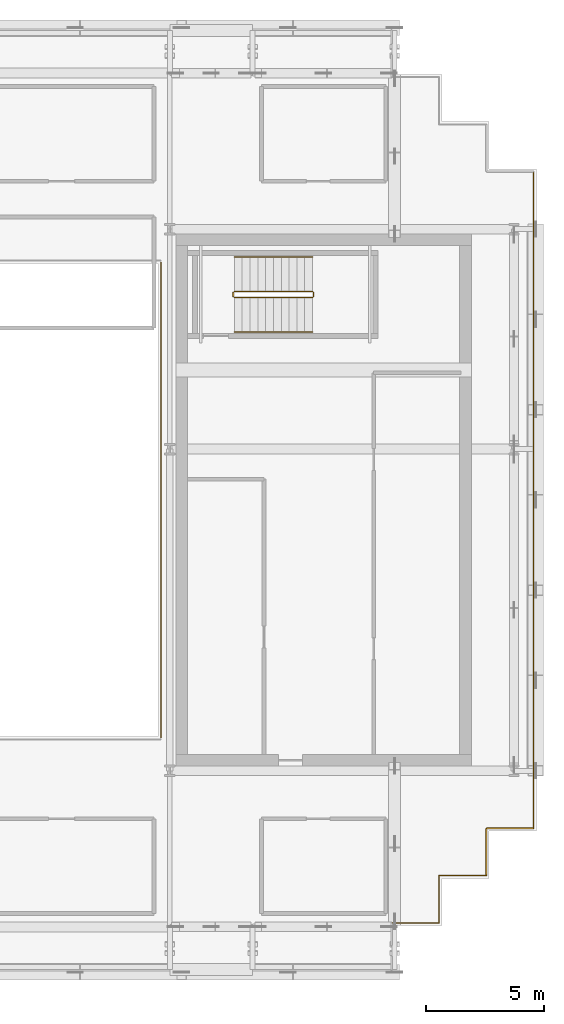
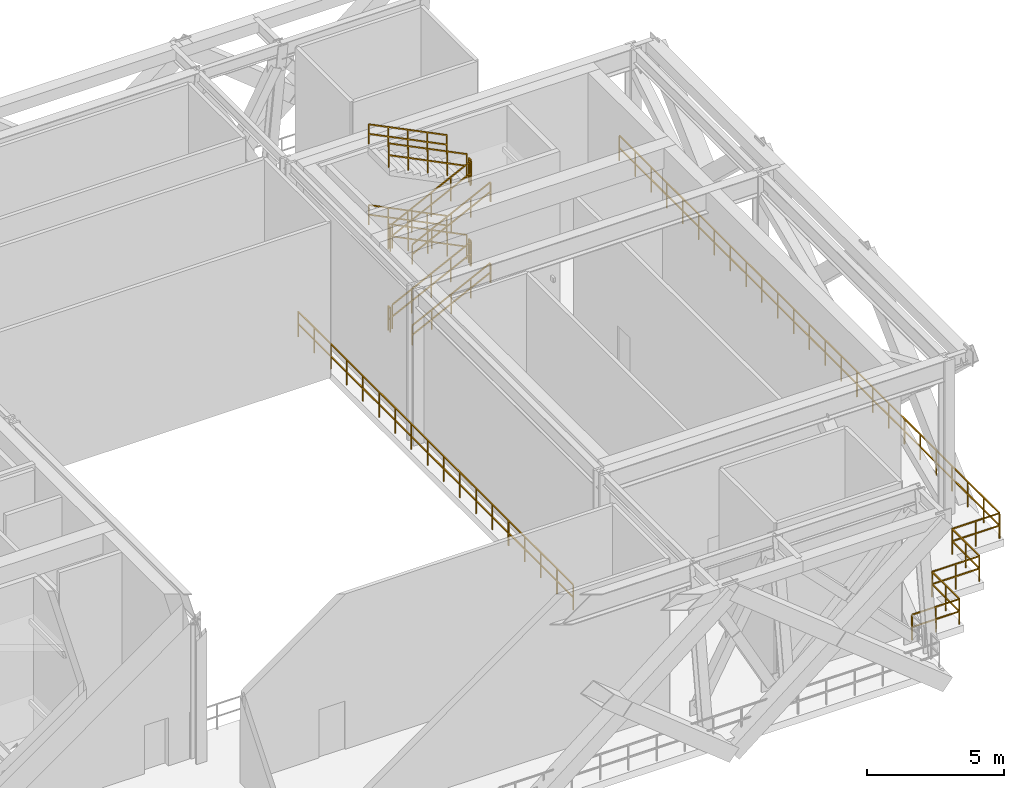
# One storey, part 12 of 13: 19 railings.
"""IFC4 building model written with IfcOpenShell, lengths in metres."""

from ifc_helpers import new_model, si_unit, direction, frame, origin, origin_2d, place, context, subcontext, project, spatial, rectangle, extrude, material, type_object, element, save


model = new_model("IFC4")

# Units and contexts
model_context = context("Model", 3, precision=1e-05, world=origin(), true_north=direction((0.0, 1.0)))
body_context = subcontext(model_context, "Body", "Model", "MODEL_VIEW")
ifc_project = project(units=[si_unit("LENGTHUNIT", "METRE"), si_unit("AREAUNIT", "SQUARE_METRE"), si_unit("VOLUMEUNIT", "CUBIC_METRE"), si_unit("PLANEANGLEUNIT", "RADIAN"), si_unit("MASSUNIT", "GRAM", prefix="KILO")], contexts=[model_context])

# Site, building, storey
site_placement = place(None, origin())
site = spatial("IfcSite", under=ifc_project, at=site_placement, CompositionType="ELEMENT")
building_placement = place(site_placement, origin())
building = spatial("IfcBuilding", under=site, at=building_placement, Name="Ocotamira Hotel", CompositionType="ELEMENT")
storey_placement = place(building_placement, frame((0.0, 0.0, 220.800048828125)))
storey = spatial("IfcBuildingStorey", under=building, at=storey_placement, Name="L56", CompositionType="ELEMENT", Elevation=220.800048828125)

# Railings
ifc_material_1 = material(Name="Painted steel stair guardrail", Category="steel")
railing_type_1 = type_object("IfcRailingType", Name="RL-EDGE-1150", PredefinedType="GUARDRAIL", material=ifc_material_1)
railing_1_placement = place(storey_placement, frame((40.1201171875, 15.9599609375, 0.0)))
element("IfcRailing", 1, at=railing_1_placement, inside=storey, type_object=railing_type_1, Name="L56 Central Atrium Edge Guardrail E", PredefinedType="GUARDRAIL", context=body_context, shape_type="SweptSolid", body=[
    extrude(rectangle(XDim=0.048095703125, YDim=0.048095703125, at=origin_2d()), frame((0.0, 0.0, 1.1259765625), z_axis=(0.0, 1.0, 0.0), x_axis=(-1.0, 0.0, 0.0)), (0.0, 0.0, 1.0), 20.080078125),
    extrude(rectangle(XDim=0.048095703125, YDim=0.048095703125, at=origin_2d()), frame((0.0, 0.0, 0.574951171875), z_axis=(0.0, 1.0, 0.0), x_axis=(-1.0, 0.0, 0.0)), (0.0, 0.0, 1.0), 20.080078125),
    extrude(rectangle(XDim=0.0419921875, YDim=0.0419921875, at=origin_2d()), origin(), (0.0, 0.0, 1.0), 1.101806640625),
    extrude(rectangle(XDim=0.0419921875, YDim=0.0419921875, at=origin_2d()), frame((0.0, 1.18115234375, 0.0)), (0.0, 0.0, 1.0), 1.101806640625),
    extrude(rectangle(XDim=0.0419921875, YDim=0.0419921875, at=origin_2d()), frame((0.0, 2.3623046875, 0.0)), (0.0, 0.0, 1.0), 1.101806640625),
    extrude(rectangle(XDim=0.0419921875, YDim=0.0419921875, at=origin_2d()), frame((0.0, 3.54345703125, 0.0)), (0.0, 0.0, 1.0), 1.101806640625),
    extrude(rectangle(XDim=0.0419921875, YDim=0.0419921875, at=origin_2d()), frame((0.0, 4.724609375, 0.0)), (0.0, 0.0, 1.0), 1.101806640625),
    extrude(rectangle(XDim=0.0419921875, YDim=0.0419921875, at=origin_2d()), frame((0.0, 5.906005859375, 0.0)), (0.0, 0.0, 1.0), 1.101806640625),
    extrude(rectangle(XDim=0.0419921875, YDim=0.0419921875, at=origin_2d()), frame((0.0, 7.087158203125, 0.0)), (0.0, 0.0, 1.0), 1.101806640625),
    extrude(rectangle(XDim=0.0419921875, YDim=0.0419921875, at=origin_2d()), frame((0.0, 8.268310546875, 0.0)), (0.0, 0.0, 1.0), 1.101806640625),
    extrude(rectangle(XDim=0.0419921875, YDim=0.0419921875, at=origin_2d()), frame((0.0, 9.449462890625, 0.0)), (0.0, 0.0, 1.0), 1.101806640625),
    extrude(rectangle(XDim=0.0419921875, YDim=0.0419921875, at=origin_2d()), frame((0.0, 10.630615234375, 0.0)), (0.0, 0.0, 1.0), 1.101806640625),
    extrude(rectangle(XDim=0.0419921875, YDim=0.0419921875, at=origin_2d()), frame((0.0, 11.811767578125, 0.0)), (0.0, 0.0, 1.0), 1.101806640625),
    extrude(rectangle(XDim=0.0419921875, YDim=0.0419921875, at=origin_2d()), frame((0.0, 12.992919921875, 0.0)), (0.0, 0.0, 1.0), 1.101806640625),
    extrude(rectangle(XDim=0.0419921875, YDim=0.0419921875, at=origin_2d()), frame((0.0, 14.174072265625, 0.0)), (0.0, 0.0, 1.0), 1.101806640625),
    extrude(rectangle(XDim=0.0419921875, YDim=0.0419921875, at=origin_2d()), frame((0.0, 15.35546875, 0.0)), (0.0, 0.0, 1.0), 1.101806640625),
    extrude(rectangle(XDim=0.0419921875, YDim=0.0419921875, at=origin_2d()), frame((0.0, 16.53662109375, 0.0)), (0.0, 0.0, 1.0), 1.101806640625),
    extrude(rectangle(XDim=0.0419921875, YDim=0.0419921875, at=origin_2d()), frame((0.0, 17.7177734375, 0.0)), (0.0, 0.0, 1.0), 1.101806640625),
    extrude(rectangle(XDim=0.0419921875, YDim=0.0419921875, at=origin_2d()), frame((0.0, 18.89892578125, 0.0)), (0.0, 0.0, 1.0), 1.101806640625),
    extrude(rectangle(XDim=0.0419921875, YDim=0.0419921875, at=origin_2d()), frame((0.0, 20.080078125, 0.0)), (0.0, 0.0, 1.0), 1.101806640625),
])
ifc_material_2 = material(Name="Brushed stainless steel handrail", Category="steel")
railing_type_2 = type_object("IfcRailingType", Name="RL-HAND-900", PredefinedType="HANDRAIL", material=ifc_material_2)
railing_2_placement = place(storey_placement, frame((43.22998046875, 33.10009765625, 0.3271484375)))
element("IfcRailing", 2, at=railing_2_placement, inside=storey, type_object=railing_type_2, Name="L56 ST-4 stair handrail 1", PredefinedType="HANDRAIL", context=body_context, shape_type="SweptSolid", body=[
    extrude(rectangle(XDim=0.048095703125, YDim=0.048095703125, at=origin_2d()), frame((0.0, 0.0, 0.8759765625), z_axis=(0.895893744519, 0.0, 0.4442683857), x_axis=(0.0, 1.0, 0.0)), (0.0, 0.0, 1.0), 3.68359375),
    extrude(rectangle(XDim=0.048095703125, YDim=0.048095703125, at=origin_2d()), frame((0.0, 0.0, 0.449951171875), z_axis=(0.895893744519, 0.0, 0.4442683857), x_axis=(0.0, 1.0, 0.0)), (0.0, 0.0, 1.0), 3.68359375),
    extrude(rectangle(XDim=0.0419921875, YDim=0.0419921875, at=origin_2d()), origin(), (0.0, 0.0, 1.0), 0.851806640625),
    extrude(rectangle(XDim=0.0419921875, YDim=0.0419921875, at=origin_2d()), frame((0.824951171875, 0.0, 0.4091796875)), (0.0, 0.0, 1.0), 0.851806640625),
    extrude(rectangle(XDim=0.0419921875, YDim=0.0419921875, at=origin_2d()), frame((1.64990234375, 0.0, 0.818359375)), (0.0, 0.0, 1.0), 0.851806640625),
    extrude(rectangle(XDim=0.0419921875, YDim=0.0419921875, at=origin_2d()), frame((2.47509765625, 0.0, 1.227294921875)), (0.0, 0.0, 1.0), 0.851806640625),
    extrude(rectangle(XDim=0.0419921875, YDim=0.0419921875, at=origin_2d()), frame((3.300048828125, 0.0, 1.636474609375)), (0.0, 0.0, 1.0), 0.851806640625),
])
railing_3_placement = place(storey_placement, frame((46.530029296875, 36.280029296875, 2.127197265625)))
element("IfcRailing", 3, at=railing_3_placement, inside=storey, type_object=railing_type_2, Name="L56 ST-4 stair handrail 2", PredefinedType="HANDRAIL", context=body_context, shape_type="SweptSolid", body=[
    extrude(rectangle(XDim=0.048095703125, YDim=0.048095703125, at=origin_2d()), frame((0.0, 0.0, 0.8759765625), z_axis=(-0.895893744519, 0.0, 0.4442683857), x_axis=(0.0, -1.0, 0.0)), (0.0, 0.0, 1.0), 3.68359375),
    extrude(rectangle(XDim=0.048095703125, YDim=0.048095703125, at=origin_2d()), frame((0.0, 0.0, 0.449951171875), z_axis=(-0.895893744519, 0.0, 0.4442683857), x_axis=(0.0, -1.0, 0.0)), (0.0, 0.0, 1.0), 3.68359375),
    extrude(rectangle(XDim=0.0419921875, YDim=0.0419921875, at=origin_2d()), origin(), (0.0, 0.0, 1.0), 0.851806640625),
    extrude(rectangle(XDim=0.0419921875, YDim=0.0419921875, at=origin_2d()), frame((-0.824951171875, 0.0, 0.4091796875)), (0.0, 0.0, 1.0), 0.851806640625),
    extrude(rectangle(XDim=0.0419921875, YDim=0.0419921875, at=origin_2d()), frame((-1.64990234375, 0.0, 0.818359375)), (0.0, 0.0, 1.0), 0.851806640625),
    extrude(rectangle(XDim=0.0419921875, YDim=0.0419921875, at=origin_2d()), frame((-2.47509765625, 0.0, 1.227294921875)), (0.0, 0.0, 1.0), 0.851806640625),
    extrude(rectangle(XDim=0.0419921875, YDim=0.0419921875, at=origin_2d()), frame((-3.300048828125, 0.0, 1.636474609375)), (0.0, 0.0, 1.0), 0.851806640625),
])
railing_4_placement = place(storey_placement, frame((43.22998046875, 33.10009765625, 3.92724609375)))
element("IfcRailing", 4, at=railing_4_placement, inside=storey, type_object=railing_type_2, Name="L56 ST-4 stair handrail 3", PredefinedType="HANDRAIL", context=body_context, shape_type="SweptSolid", body=[
    extrude(rectangle(XDim=0.048095703125, YDim=0.048095703125, at=origin_2d()), frame((0.0, 0.0, 0.8759765625), z_axis=(0.895920123917, 0.0, 0.444215186098), x_axis=(0.0, 1.0, 0.0)), (0.0, 0.0, 1.0), 3.683349609375),
    extrude(rectangle(XDim=0.048095703125, YDim=0.048095703125, at=origin_2d()), frame((0.0, 0.0, 0.449951171875), z_axis=(0.895920123917, 0.0, 0.444215186098), x_axis=(0.0, 1.0, 0.0)), (0.0, 0.0, 1.0), 3.683349609375),
    extrude(rectangle(XDim=0.0419921875, YDim=0.0419921875, at=origin_2d()), origin(), (0.0, 0.0, 1.0), 0.851806640625),
    extrude(rectangle(XDim=0.0419921875, YDim=0.0419921875, at=origin_2d()), frame((0.824951171875, 0.0, 0.4091796875)), (0.0, 0.0, 1.0), 0.851806640625),
    extrude(rectangle(XDim=0.0419921875, YDim=0.0419921875, at=origin_2d()), frame((1.64990234375, 0.0, 0.818115234375)), (0.0, 0.0, 1.0), 0.851806640625),
    extrude(rectangle(XDim=0.0419921875, YDim=0.0419921875, at=origin_2d()), frame((2.47509765625, 0.0, 1.22705078125)), (0.0, 0.0, 1.0), 0.851806640625),
    extrude(rectangle(XDim=0.0419921875, YDim=0.0419921875, at=origin_2d()), frame((3.300048828125, 0.0, 1.63623046875)), (0.0, 0.0, 1.0), 0.851806640625),
])
railing_5_placement = place(storey_placement, frame((46.530029296875, 36.280029296875, 5.727294921875)))
element("IfcRailing", 5, at=railing_5_placement, inside=storey, type_object=railing_type_2, Name="L56 ST-4 stair handrail 4", PredefinedType="HANDRAIL", context=body_context, shape_type="SweptSolid", body=[
    extrude(rectangle(XDim=0.048095703125, YDim=0.048095703125, at=origin_2d()), frame((0.0, 0.0, 0.8759765625), z_axis=(-0.895920123917, 0.0, 0.444215186098), x_axis=(0.0, -1.0, 0.0)), (0.0, 0.0, 1.0), 3.683349609375),
    extrude(rectangle(XDim=0.048095703125, YDim=0.048095703125, at=origin_2d()), frame((0.0, 0.0, 0.449951171875), z_axis=(-0.895920123917, 0.0, 0.444215186098), x_axis=(0.0, -1.0, 0.0)), (0.0, 0.0, 1.0), 3.683349609375),
    extrude(rectangle(XDim=0.0419921875, YDim=0.0419921875, at=origin_2d()), origin(), (0.0, 0.0, 1.0), 0.851806640625),
    extrude(rectangle(XDim=0.0419921875, YDim=0.0419921875, at=origin_2d()), frame((-0.824951171875, 0.0, 0.4091796875)), (0.0, 0.0, 1.0), 0.851806640625),
    extrude(rectangle(XDim=0.0419921875, YDim=0.0419921875, at=origin_2d()), frame((-1.64990234375, 0.0, 0.818115234375)), (0.0, 0.0, 1.0), 0.851806640625),
    extrude(rectangle(XDim=0.0419921875, YDim=0.0419921875, at=origin_2d()), frame((-2.47509765625, 0.0, 1.22705078125)), (0.0, 0.0, 1.0), 0.851806640625),
    extrude(rectangle(XDim=0.0419921875, YDim=0.0419921875, at=origin_2d()), frame((-3.300048828125, 0.0, 1.63623046875)), (0.0, 0.0, 1.0), 0.851806640625),
])
ifc_material_3 = material(Name="Pale-metal stainless steel guardrail", Category="steel")
railing_type_3 = type_object("IfcRailingType", Name="RL-PERIM-1150", PredefinedType="GUARDRAIL", material=ifc_material_3)
railing_6_placement = place(storey_placement, frame((55.8798828125, 39.8798828125, 0.0)))
element("IfcRailing", 6, at=railing_6_placement, inside=storey, type_object=railing_type_3, Name="L56 Perimeter Guardrail WSLOT1-24", PredefinedType="GUARDRAIL", context=body_context, shape_type="SweptSolid", body=[
    extrude(rectangle(XDim=0.048095703125, YDim=0.048095703125, at=origin_2d()), frame((0.0, 0.0, 1.1259765625), z_axis=(0.0, -1.0, 0.0), x_axis=(1.0, 0.0, 0.0)), (0.0, 0.0, 1.0), 27.759765625),
    extrude(rectangle(XDim=0.048095703125, YDim=0.048095703125, at=origin_2d()), frame((0.0, 0.0, 0.574951171875), z_axis=(0.0, -1.0, 0.0), x_axis=(1.0, 0.0, 0.0)), (0.0, 0.0, 1.0), 27.759765625),
    extrude(rectangle(XDim=0.0419921875, YDim=0.0419921875, at=origin_2d()), origin(), (0.0, 0.0, 1.0), 1.101806640625),
    extrude(rectangle(XDim=0.0419921875, YDim=0.0419921875, at=origin_2d()), frame((0.0, -1.15673828125, 0.0)), (0.0, 0.0, 1.0), 1.101806640625),
    extrude(rectangle(XDim=0.0419921875, YDim=0.0419921875, at=origin_2d()), frame((0.0, -2.313232421875, 0.0)), (0.0, 0.0, 1.0), 1.101806640625),
    extrude(rectangle(XDim=0.0419921875, YDim=0.0419921875, at=origin_2d()), frame((0.0, -3.469970703125, 0.0)), (0.0, 0.0, 1.0), 1.101806640625),
    extrude(rectangle(XDim=0.0419921875, YDim=0.0419921875, at=origin_2d()), frame((0.0, -4.626708984375, 0.0)), (0.0, 0.0, 1.0), 1.101806640625),
    extrude(rectangle(XDim=0.0419921875, YDim=0.0419921875, at=origin_2d()), frame((0.0, -5.783203125, 0.0)), (0.0, 0.0, 1.0), 1.101806640625),
    extrude(rectangle(XDim=0.0419921875, YDim=0.0419921875, at=origin_2d()), frame((0.0, -6.93994140625, 0.0)), (0.0, 0.0, 1.0), 1.101806640625),
    extrude(rectangle(XDim=0.0419921875, YDim=0.0419921875, at=origin_2d()), frame((0.0, -8.0966796875, 0.0)), (0.0, 0.0, 1.0), 1.101806640625),
    extrude(rectangle(XDim=0.0419921875, YDim=0.0419921875, at=origin_2d()), frame((0.0, -9.253173828125, 0.0)), (0.0, 0.0, 1.0), 1.101806640625),
    extrude(rectangle(XDim=0.0419921875, YDim=0.0419921875, at=origin_2d()), frame((0.0, -10.409912109375, 0.0)), (0.0, 0.0, 1.0), 1.101806640625),
    extrude(rectangle(XDim=0.0419921875, YDim=0.0419921875, at=origin_2d()), frame((0.0, -11.566650390625, 0.0)), (0.0, 0.0, 1.0), 1.101806640625),
    extrude(rectangle(XDim=0.0419921875, YDim=0.0419921875, at=origin_2d()), frame((0.0, -12.72314453125, 0.0)), (0.0, 0.0, 1.0), 1.101806640625),
    extrude(rectangle(XDim=0.0419921875, YDim=0.0419921875, at=origin_2d()), frame((0.0, -13.8798828125, 0.0)), (0.0, 0.0, 1.0), 1.101806640625),
    extrude(rectangle(XDim=0.0419921875, YDim=0.0419921875, at=origin_2d()), frame((0.0, -15.03662109375, 0.0)), (0.0, 0.0, 1.0), 1.101806640625),
    extrude(rectangle(XDim=0.0419921875, YDim=0.0419921875, at=origin_2d()), frame((0.0, -16.193115234375, 0.0)), (0.0, 0.0, 1.0), 1.101806640625),
    extrude(rectangle(XDim=0.0419921875, YDim=0.0419921875, at=origin_2d()), frame((0.0, -17.349853515625, 0.0)), (0.0, 0.0, 1.0), 1.101806640625),
    extrude(rectangle(XDim=0.0419921875, YDim=0.0419921875, at=origin_2d()), frame((0.0, -18.506591796875, 0.0)), (0.0, 0.0, 1.0), 1.101806640625),
    extrude(rectangle(XDim=0.0419921875, YDim=0.0419921875, at=origin_2d()), frame((0.0, -19.6630859375, 0.0)), (0.0, 0.0, 1.0), 1.101806640625),
    extrude(rectangle(XDim=0.0419921875, YDim=0.0419921875, at=origin_2d()), frame((0.0, -20.81982421875, 0.0)), (0.0, 0.0, 1.0), 1.101806640625),
    extrude(rectangle(XDim=0.0419921875, YDim=0.0419921875, at=origin_2d()), frame((0.0, -21.9765625, 0.0)), (0.0, 0.0, 1.0), 1.101806640625),
    extrude(rectangle(XDim=0.0419921875, YDim=0.0419921875, at=origin_2d()), frame((0.0, -23.133056640625, 0.0)), (0.0, 0.0, 1.0), 1.101806640625),
    extrude(rectangle(XDim=0.0419921875, YDim=0.0419921875, at=origin_2d()), frame((0.0, -24.289794921875, 0.0)), (0.0, 0.0, 1.0), 1.101806640625),
    extrude(rectangle(XDim=0.0419921875, YDim=0.0419921875, at=origin_2d()), frame((0.0, -25.446533203125, 0.0)), (0.0, 0.0, 1.0), 1.101806640625),
    extrude(rectangle(XDim=0.0419921875, YDim=0.0419921875, at=origin_2d()), frame((0.0, -26.60302734375, 0.0)), (0.0, 0.0, 1.0), 1.101806640625),
    extrude(rectangle(XDim=0.0419921875, YDim=0.0419921875, at=origin_2d()), frame((0.0, -27.759765625, 0.0)), (0.0, 0.0, 1.0), 1.101806640625),
])
railing_7_placement = place(storey_placement, frame((55.8798828125, 12.1201171875, 0.0)))
element("IfcRailing", 7, at=railing_7_placement, inside=storey, type_object=railing_type_3, Name="L56 Perimeter Guardrail WSLOT1-25", PredefinedType="GUARDRAIL", context=body_context, shape_type="SweptSolid", body=[
    extrude(rectangle(XDim=0.048095703125, YDim=0.048095703125, at=origin_2d()), frame((0.0, 0.0, 1.1259765625), z_axis=(-1.0, 0.0, 0.0), x_axis=(0.0, -1.0, 0.0)), (0.0, 0.0, 1.0), 2.0),
    extrude(rectangle(XDim=0.048095703125, YDim=0.048095703125, at=origin_2d()), frame((0.0, 0.0, 0.574951171875), z_axis=(-1.0, 0.0, 0.0), x_axis=(0.0, -1.0, 0.0)), (0.0, 0.0, 1.0), 2.0),
    extrude(rectangle(XDim=0.0419921875, YDim=0.0419921875, at=origin_2d()), origin(), (0.0, 0.0, 1.0), 1.101806640625),
    extrude(rectangle(XDim=0.0419921875, YDim=0.0419921875, at=origin_2d()), frame((-1.0, 0.0, 0.0)), (0.0, 0.0, 1.0), 1.101806640625),
    extrude(rectangle(XDim=0.0419921875, YDim=0.0419921875, at=origin_2d()), frame((-2.0, 0.0, 0.0)), (0.0, 0.0, 1.0), 1.101806640625),
])
railing_8_placement = place(storey_placement, frame((53.8798828125, 12.1201171875, 0.0)))
element("IfcRailing", 8, at=railing_8_placement, inside=storey, type_object=railing_type_3, Name="L56 Perimeter Guardrail WSLOT1-26", PredefinedType="GUARDRAIL", context=body_context, shape_type="SweptSolid", body=[
    extrude(rectangle(XDim=0.048095703125, YDim=0.048095703125, at=origin_2d()), frame((0.0, 0.0, 1.1259765625), z_axis=(0.0, -1.0, 0.0), x_axis=(1.0, 0.0, 0.0)), (0.0, 0.0, 1.0), 2.0),
    extrude(rectangle(XDim=0.048095703125, YDim=0.048095703125, at=origin_2d()), frame((0.0, 0.0, 0.574951171875), z_axis=(0.0, -1.0, 0.0), x_axis=(1.0, 0.0, 0.0)), (0.0, 0.0, 1.0), 2.0),
    extrude(rectangle(XDim=0.0419921875, YDim=0.0419921875, at=origin_2d()), origin(), (0.0, 0.0, 1.0), 1.101806640625),
    extrude(rectangle(XDim=0.0419921875, YDim=0.0419921875, at=origin_2d()), frame((0.0, -1.0, 0.0)), (0.0, 0.0, 1.0), 1.101806640625),
    extrude(rectangle(XDim=0.0419921875, YDim=0.0419921875, at=origin_2d()), frame((0.0, -2.0, 0.0)), (0.0, 0.0, 1.0), 1.101806640625),
])
railing_9_placement = place(storey_placement, frame((53.8798828125, 10.1201171875, 0.0)))
element("IfcRailing", 9, at=railing_9_placement, inside=storey, type_object=railing_type_3, Name="L56 Perimeter Guardrail WSLOT1-27", PredefinedType="GUARDRAIL", context=body_context, shape_type="SweptSolid", body=[
    extrude(rectangle(XDim=0.048095703125, YDim=0.048095703125, at=origin_2d()), frame((0.0, 0.0, 1.1259765625), z_axis=(-1.0, 0.0, 0.0), x_axis=(0.0, -1.0, 0.0)), (0.0, 0.0, 1.0), 2.0),
    extrude(rectangle(XDim=0.048095703125, YDim=0.048095703125, at=origin_2d()), frame((0.0, 0.0, 0.574951171875), z_axis=(-1.0, 0.0, 0.0), x_axis=(0.0, -1.0, 0.0)), (0.0, 0.0, 1.0), 2.0),
    extrude(rectangle(XDim=0.0419921875, YDim=0.0419921875, at=origin_2d()), origin(), (0.0, 0.0, 1.0), 1.101806640625),
    extrude(rectangle(XDim=0.0419921875, YDim=0.0419921875, at=origin_2d()), frame((-1.0, 0.0, 0.0)), (0.0, 0.0, 1.0), 1.101806640625),
    extrude(rectangle(XDim=0.0419921875, YDim=0.0419921875, at=origin_2d()), frame((-2.0, 0.0, 0.0)), (0.0, 0.0, 1.0), 1.101806640625),
])
railing_10_placement = place(storey_placement, frame((51.8798828125, 10.1201171875, 0.0)))
element("IfcRailing", 10, at=railing_10_placement, inside=storey, type_object=railing_type_3, Name="L56 Perimeter Guardrail WSLOT1-28", PredefinedType="GUARDRAIL", context=body_context, shape_type="SweptSolid", body=[
    extrude(rectangle(XDim=0.048095703125, YDim=0.048095703125, at=origin_2d()), frame((0.0, 0.0, 1.1259765625), z_axis=(0.0, -1.0, 0.0), x_axis=(1.0, 0.0, 0.0)), (0.0, 0.0, 1.0), 2.0),
    extrude(rectangle(XDim=0.048095703125, YDim=0.048095703125, at=origin_2d()), frame((0.0, 0.0, 0.574951171875), z_axis=(0.0, -1.0, 0.0), x_axis=(1.0, 0.0, 0.0)), (0.0, 0.0, 1.0), 2.0),
    extrude(rectangle(XDim=0.0419921875, YDim=0.0419921875, at=origin_2d()), origin(), (0.0, 0.0, 1.0), 1.101806640625),
    extrude(rectangle(XDim=0.0419921875, YDim=0.0419921875, at=origin_2d()), frame((0.0, -1.0, 0.0)), (0.0, 0.0, 1.0), 1.101806640625),
    extrude(rectangle(XDim=0.0419921875, YDim=0.0419921875, at=origin_2d()), frame((0.0, -2.0, 0.0)), (0.0, 0.0, 1.0), 1.101806640625),
])
railing_11_placement = place(storey_placement, frame((51.8798828125, 8.1201171875, 0.0)))
element("IfcRailing", 11, at=railing_11_placement, inside=storey, type_object=railing_type_3, Name="L56 Perimeter Guardrail WSLOT1-29", PredefinedType="GUARDRAIL", context=body_context, shape_type="SweptSolid", body=[
    extrude(rectangle(XDim=0.048095703125, YDim=0.048095703125, at=origin_2d()), frame((0.0, 0.0, 1.1259765625), z_axis=(-1.0, 0.0, 0.0), x_axis=(0.0, -1.0, 0.0)), (0.0, 0.0, 1.0), 2.0),
    extrude(rectangle(XDim=0.048095703125, YDim=0.048095703125, at=origin_2d()), frame((0.0, 0.0, 0.574951171875), z_axis=(-1.0, 0.0, 0.0), x_axis=(0.0, -1.0, 0.0)), (0.0, 0.0, 1.0), 2.0),
    extrude(rectangle(XDim=0.0419921875, YDim=0.0419921875, at=origin_2d()), origin(), (0.0, 0.0, 1.0), 1.101806640625),
    extrude(rectangle(XDim=0.0419921875, YDim=0.0419921875, at=origin_2d()), frame((-1.0, 0.0, 0.0)), (0.0, 0.0, 1.0), 1.101806640625),
    extrude(rectangle(XDim=0.0419921875, YDim=0.0419921875, at=origin_2d()), frame((-2.0, 0.0, 0.0)), (0.0, 0.0, 1.0), 1.101806640625),
])
railing_type_4 = type_object("IfcRailingType", Name="RL-STAIR-1100", PredefinedType="GUARDRAIL", material=ifc_material_1)
railing_12_placement = place(storey_placement, frame((43.22998046875, 34.56005859375, 0.16357421875)))
element("IfcRailing", 12, at=railing_12_placement, inside=storey, type_object=railing_type_4, Name="L56 ST-4 stair guard 1", PredefinedType="GUARDRAIL", context=body_context, shape_type="SweptSolid", body=[
    extrude(rectangle(XDim=0.048095703125, YDim=0.048095703125, at=origin_2d()), frame((0.0, 0.0, 1.076171875), z_axis=(0.895893744519, 0.0, 0.4442683857), x_axis=(0.0, 1.0, 0.0)), (0.0, 0.0, 1.0), 3.68359375),
    extrude(rectangle(XDim=0.048095703125, YDim=0.048095703125, at=origin_2d()), frame((0.0, 0.0, 0.550048828125), z_axis=(0.895893744519, 0.0, 0.4442683857), x_axis=(0.0, 1.0, 0.0)), (0.0, 0.0, 1.0), 3.68359375),
    extrude(rectangle(XDim=0.0419921875, YDim=0.0419921875, at=origin_2d()), origin(), (0.0, 0.0, 1.0), 1.052001953125),
    extrude(rectangle(XDim=0.0419921875, YDim=0.0419921875, at=origin_2d()), frame((0.824951171875, 0.0, 0.4091796875)), (0.0, 0.0, 1.0), 1.052001953125),
    extrude(rectangle(XDim=0.0419921875, YDim=0.0419921875, at=origin_2d()), frame((1.64990234375, 0.0, 0.818359375)), (0.0, 0.0, 1.0), 1.052001953125),
    extrude(rectangle(XDim=0.0419921875, YDim=0.0419921875, at=origin_2d()), frame((2.47509765625, 0.0, 1.227294921875)), (0.0, 0.0, 1.0), 1.052001953125),
    extrude(rectangle(XDim=0.0419921875, YDim=0.0419921875, at=origin_2d()), frame((3.300048828125, 0.0, 1.636474609375)), (0.0, 0.0, 1.0), 1.052001953125),
])
railing_13_placement = place(storey_placement, frame((46.580078125, 34.610107421875, 1.800048828125)))
element("IfcRailing", 13, at=railing_13_placement, inside=storey, type_object=railing_type_4, Name="L56 ST-4 stair guard 2", PredefinedType="GUARDRAIL", context=body_context, shape_type="SweptSolid", body=[
    extrude(rectangle(XDim=0.048095703125, YDim=0.048095703125, at=origin_2d()), frame((0.0, 0.0, 1.076171875), z_axis=(0.0, 1.0, 0.0), x_axis=(-1.0, 0.0, 0.0)), (0.0, 0.0, 1.0), 0.159912109375),
    extrude(rectangle(XDim=0.048095703125, YDim=0.048095703125, at=origin_2d()), frame((0.0, 0.0, 0.550048828125), z_axis=(0.0, 1.0, 0.0), x_axis=(-1.0, 0.0, 0.0)), (0.0, 0.0, 1.0), 0.159912109375),
    extrude(rectangle(XDim=0.0419921875, YDim=0.0419921875, at=origin_2d()), origin(), (0.0, 0.0, 1.0), 1.052001953125),
    extrude(rectangle(XDim=0.0419921875, YDim=0.0419921875, at=origin_2d()), frame((0.0, 0.159912109375, 0.0)), (0.0, 0.0, 1.0), 1.052001953125),
])
railing_14_placement = place(storey_placement, frame((46.530029296875, 34.820068359375, 1.963623046875)))
element("IfcRailing", 14, at=railing_14_placement, inside=storey, type_object=railing_type_4, Name="L56 ST-4 stair guard 3", PredefinedType="GUARDRAIL", context=body_context, shape_type="SweptSolid", body=[
    extrude(rectangle(XDim=0.048095703125, YDim=0.048095703125, at=origin_2d()), frame((0.0, 0.0, 1.076171875), z_axis=(-0.895920123917, 0.0, 0.444215186098), x_axis=(0.0, -1.0, 0.0)), (0.0, 0.0, 1.0), 3.683349609375),
    extrude(rectangle(XDim=0.048095703125, YDim=0.048095703125, at=origin_2d()), frame((0.0, 0.0, 0.550048828125), z_axis=(-0.895920123917, 0.0, 0.444215186098), x_axis=(0.0, -1.0, 0.0)), (0.0, 0.0, 1.0), 3.683349609375),
    extrude(rectangle(XDim=0.0419921875, YDim=0.0419921875, at=origin_2d()), origin(), (0.0, 0.0, 1.0), 1.052001953125),
    extrude(rectangle(XDim=0.0419921875, YDim=0.0419921875, at=origin_2d()), frame((-0.824951171875, 0.0, 0.4091796875)), (0.0, 0.0, 1.0), 1.052001953125),
    extrude(rectangle(XDim=0.0419921875, YDim=0.0419921875, at=origin_2d()), frame((-1.64990234375, 0.0, 0.818115234375)), (0.0, 0.0, 1.0), 1.052001953125),
    extrude(rectangle(XDim=0.0419921875, YDim=0.0419921875, at=origin_2d()), frame((-2.47509765625, 0.0, 1.22705078125)), (0.0, 0.0, 1.0), 1.052001953125),
    extrude(rectangle(XDim=0.0419921875, YDim=0.0419921875, at=origin_2d()), frame((-3.300048828125, 0.0, 1.63623046875)), (0.0, 0.0, 1.0), 1.052001953125),
])
railing_15_placement = place(storey_placement, frame((43.179931640625, 34.610107421875, 3.599853515625)))
element("IfcRailing", 15, at=railing_15_placement, inside=storey, type_object=railing_type_4, Name="L56 ST-4 stair guard 4", PredefinedType="GUARDRAIL", context=body_context, shape_type="SweptSolid", body=[
    extrude(rectangle(XDim=0.048095703125, YDim=0.048095703125, at=origin_2d()), frame((0.0, 0.0, 1.076171875), z_axis=(0.0, 1.0, 0.0), x_axis=(-1.0, 0.0, 0.0)), (0.0, 0.0, 1.0), 0.159912109375),
    extrude(rectangle(XDim=0.048095703125, YDim=0.048095703125, at=origin_2d()), frame((0.0, 0.0, 0.550048828125), z_axis=(0.0, 1.0, 0.0), x_axis=(-1.0, 0.0, 0.0)), (0.0, 0.0, 1.0), 0.159912109375),
    extrude(rectangle(XDim=0.0419921875, YDim=0.0419921875, at=origin_2d()), origin(), (0.0, 0.0, 1.0), 1.052001953125),
    extrude(rectangle(XDim=0.0419921875, YDim=0.0419921875, at=origin_2d()), frame((0.0, 0.159912109375, 0.0)), (0.0, 0.0, 1.0), 1.052001953125),
])
railing_16_placement = place(storey_placement, frame((43.22998046875, 34.56005859375, 3.763671875)))
element("IfcRailing", 16, at=railing_16_placement, inside=storey, type_object=railing_type_4, Name="L56 ST-4 stair guard 5", PredefinedType="GUARDRAIL", context=body_context, shape_type="SweptSolid", body=[
    extrude(rectangle(XDim=0.048095703125, YDim=0.048095703125, at=origin_2d()), frame((0.0, 0.0, 1.076171875), z_axis=(0.895920123917, 0.0, 0.444215186098), x_axis=(0.0, 1.0, 0.0)), (0.0, 0.0, 1.0), 3.683349609375),
    extrude(rectangle(XDim=0.048095703125, YDim=0.048095703125, at=origin_2d()), frame((0.0, 0.0, 0.550048828125), z_axis=(0.895920123917, 0.0, 0.444215186098), x_axis=(0.0, 1.0, 0.0)), (0.0, 0.0, 1.0), 3.683349609375),
    extrude(rectangle(XDim=0.0419921875, YDim=0.0419921875, at=origin_2d()), origin(), (0.0, 0.0, 1.0), 1.052001953125),
    extrude(rectangle(XDim=0.0419921875, YDim=0.0419921875, at=origin_2d()), frame((0.824951171875, 0.0, 0.4091796875)), (0.0, 0.0, 1.0), 1.052001953125),
    extrude(rectangle(XDim=0.0419921875, YDim=0.0419921875, at=origin_2d()), frame((1.64990234375, 0.0, 0.818115234375)), (0.0, 0.0, 1.0), 1.052001953125),
    extrude(rectangle(XDim=0.0419921875, YDim=0.0419921875, at=origin_2d()), frame((2.47509765625, 0.0, 1.22705078125)), (0.0, 0.0, 1.0), 1.052001953125),
    extrude(rectangle(XDim=0.0419921875, YDim=0.0419921875, at=origin_2d()), frame((3.300048828125, 0.0, 1.63623046875)), (0.0, 0.0, 1.0), 1.052001953125),
])
railing_17_placement = place(storey_placement, frame((46.580078125, 34.610107421875, 5.39990234375)))
element("IfcRailing", 17, at=railing_17_placement, inside=storey, type_object=railing_type_4, Name="L56 ST-4 stair guard 6", PredefinedType="GUARDRAIL", context=body_context, shape_type="SweptSolid", body=[
    extrude(rectangle(XDim=0.048095703125, YDim=0.048095703125, at=origin_2d()), frame((0.0, 0.0, 1.076171875), z_axis=(0.0, 1.0, 0.0), x_axis=(-1.0, 0.0, 0.0)), (0.0, 0.0, 1.0), 0.159912109375),
    extrude(rectangle(XDim=0.048095703125, YDim=0.048095703125, at=origin_2d()), frame((0.0, 0.0, 0.550048828125), z_axis=(0.0, 1.0, 0.0), x_axis=(-1.0, 0.0, 0.0)), (0.0, 0.0, 1.0), 0.159912109375),
    extrude(rectangle(XDim=0.0419921875, YDim=0.0419921875, at=origin_2d()), origin(), (0.0, 0.0, 1.0), 1.052001953125),
    extrude(rectangle(XDim=0.0419921875, YDim=0.0419921875, at=origin_2d()), frame((0.0, 0.159912109375, 0.0)), (0.0, 0.0, 1.0), 1.052001953125),
])
railing_18_placement = place(storey_placement, frame((46.530029296875, 34.820068359375, 5.5634765625)))
element("IfcRailing", 18, at=railing_18_placement, inside=storey, type_object=railing_type_4, Name="L56 ST-4 stair guard 7", PredefinedType="GUARDRAIL", context=body_context, shape_type="SweptSolid", body=[
    extrude(rectangle(XDim=0.048095703125, YDim=0.048095703125, at=origin_2d()), frame((0.0, 0.0, 1.076171875), z_axis=(-0.895893744519, 0.0, 0.4442683857), x_axis=(0.0, -1.0, 0.0)), (0.0, 0.0, 1.0), 3.68359375),
    extrude(rectangle(XDim=0.048095703125, YDim=0.048095703125, at=origin_2d()), frame((0.0, 0.0, 0.550048828125), z_axis=(-0.895893744519, 0.0, 0.4442683857), x_axis=(0.0, -1.0, 0.0)), (0.0, 0.0, 1.0), 3.68359375),
    extrude(rectangle(XDim=0.0419921875, YDim=0.0419921875, at=origin_2d()), origin(), (0.0, 0.0, 1.0), 1.052001953125),
    extrude(rectangle(XDim=0.0419921875, YDim=0.0419921875, at=origin_2d()), frame((-0.824951171875, 0.0, 0.4091796875)), (0.0, 0.0, 1.0), 1.052001953125),
    extrude(rectangle(XDim=0.0419921875, YDim=0.0419921875, at=origin_2d()), frame((-1.64990234375, 0.0, 0.818359375)), (0.0, 0.0, 1.0), 1.052001953125),
    extrude(rectangle(XDim=0.0419921875, YDim=0.0419921875, at=origin_2d()), frame((-2.47509765625, 0.0, 1.227294921875)), (0.0, 0.0, 1.0), 1.052001953125),
    extrude(rectangle(XDim=0.0419921875, YDim=0.0419921875, at=origin_2d()), frame((-3.300048828125, 0.0, 1.636474609375)), (0.0, 0.0, 1.0), 1.052001953125),
])
railing_19_placement = place(storey_placement, frame((43.179931640625, 34.610107421875, 0.0)))
element("IfcRailing", 19, at=railing_19_placement, inside=storey, type_object=railing_type_4, Name="L56 ST-4 stair guard 8", PredefinedType="GUARDRAIL", context=body_context, shape_type="SweptSolid", body=[
    extrude(rectangle(XDim=0.048095703125, YDim=0.048095703125, at=origin_2d()), frame((0.0, 0.0, 1.076171875), z_axis=(0.0, 1.0, 0.0), x_axis=(-1.0, 0.0, 0.0)), (0.0, 0.0, 1.0), 0.159912109375),
    extrude(rectangle(XDim=0.048095703125, YDim=0.048095703125, at=origin_2d()), frame((0.0, 0.0, 0.550048828125), z_axis=(0.0, 1.0, 0.0), x_axis=(-1.0, 0.0, 0.0)), (0.0, 0.0, 1.0), 0.159912109375),
    extrude(rectangle(XDim=0.0419921875, YDim=0.0419921875, at=origin_2d()), origin(), (0.0, 0.0, 1.0), 1.052001953125),
    extrude(rectangle(XDim=0.0419921875, YDim=0.0419921875, at=origin_2d()), frame((0.0, 0.159912109375, 0.0)), (0.0, 0.0, 1.0), 1.052001953125),
])

save(model, "model.ifc")
